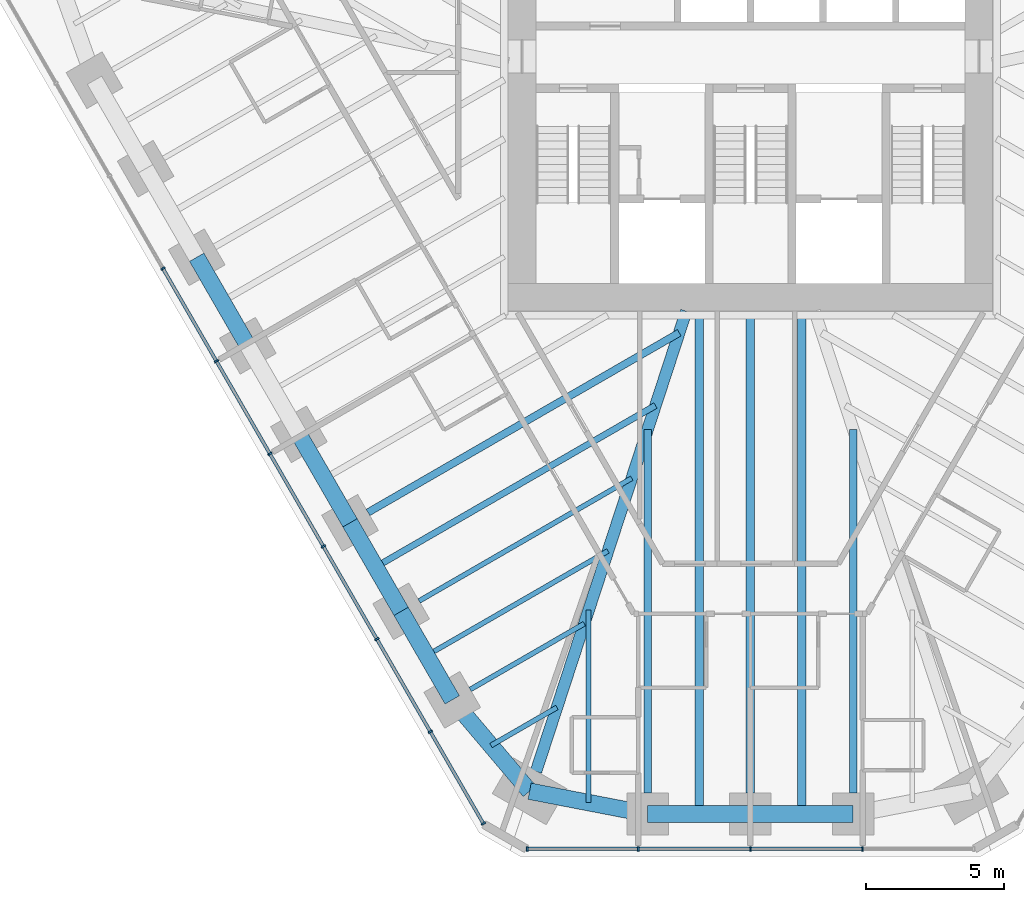
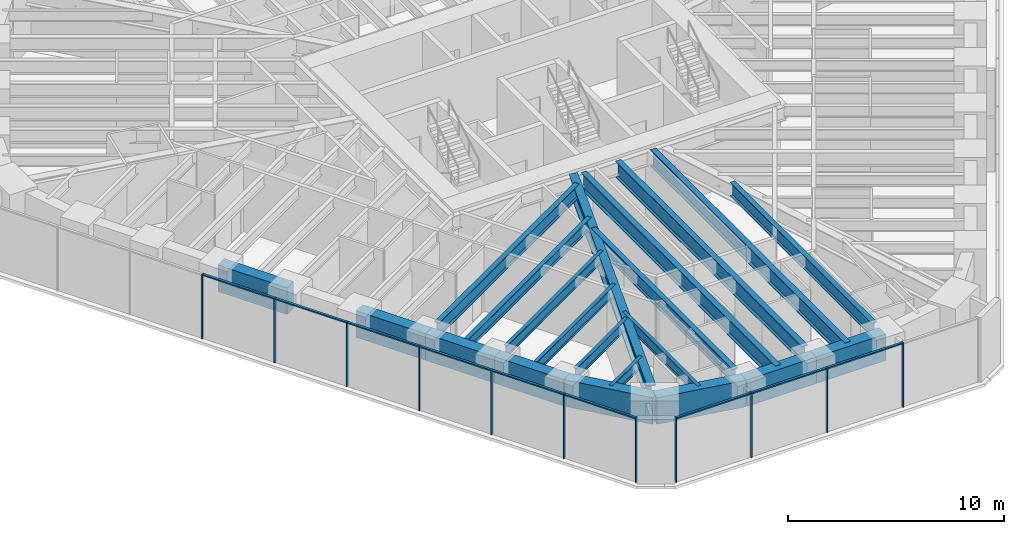
# One storey, part 2 of 16: 21 beams, 20 members, 2 elements without a shape of their own.
"""IFC4 building model written with IfcOpenShell, lengths in metres."""

from ifc_helpers import new_model, si_unit, direction, frame, origin, origin_2d, place, context, subcontext, project, spatial, rectangle, i_section, extrude, material, material_profile, profile_set, type_object, element, aggregate, save


model = new_model("IFC4")

# Units and contexts
model_context = context("Model", 3, precision=1e-05, world=origin(), true_north=direction((0.0, 1.0)))
body_context = subcontext(model_context, "Body", "Model", "MODEL_VIEW")
ifc_project = project(units=[si_unit("LENGTHUNIT", "METRE"), si_unit("AREAUNIT", "SQUARE_METRE"), si_unit("VOLUMEUNIT", "CUBIC_METRE"), si_unit("PLANEANGLEUNIT", "RADIAN"), si_unit("MASSUNIT", "GRAM", prefix="KILO")], contexts=[model_context])

# Site, building, storey
site_placement = place(None, origin())
site = spatial("IfcSite", under=ifc_project, at=site_placement, CompositionType="ELEMENT")
building_placement = place(site_placement, origin())
building = spatial("IfcBuilding", under=site, at=building_placement, Name="Sandreach Pilgrim Tower", CompositionType="ELEMENT")
storey_placement = place(building_placement, frame((0.0, 0.0, 190.800048828125)))
storey = spatial("IfcBuildingStorey", under=building, at=storey_placement, Name="L47", CompositionType="ELEMENT", Elevation=190.800048828125)

# Curtain wall, members
ifc_material_1 = material(Name="Aluminium framed curtain wall", Category="aluminium")
curtain_wall_type = type_object("IfcCurtainWallType", Name="Upper hotel tower curtain wall", PredefinedType="NOTDEFINED", material=ifc_material_1)
curtain_wall_1_placement = place(storey_placement, origin())
curtain_wall_1 = element("IfcCurtainWall", 1, at=curtain_wall_1_placement, inside=storey, type_object=curtain_wall_type, Name="CW-3 L47 S", PredefinedType="NOTDEFINED")
ifc_material_2 = material(Name="Aluminium extrusion", Category="aluminium")
ifc_material_profile_1 = material_profile(ifc_material_2, rectangle(XDim=0.06494140625, YDim=0.159912109375, at=origin_2d()), Name="CW-3M 65X160")
ifc_profile_set_1 = profile_set([ifc_material_profile_1], Name="Aluminium extrusion")
member_type_1 = type_object("IfcMemberType", Name="CW-3 mullion", PredefinedType="MULLION", material=ifc_profile_set_1)
member_1_placement = place(storey_placement, frame((4.048583984375, -26.525146484375, 0.0), z_axis=(0.0, 0.0, 1.0), x_axis=(-1.0, 0.0, 0.0)))
member_1 = element("IfcMember", 2, at=member_1_placement, type_object=member_type_1, Name="CW-3 mullion 2", PredefinedType="MULLION", context=body_context, shape_type="SweptSolid", body=[
    extrude(rectangle(XDim=0.06494140625, YDim=0.159912109375, at=origin_2d()), origin(), (0.0, 0.0, 1.0), 3.639892578125),
])
member_2_placement = place(storey_placement, frame((0.0, -26.525146484375, 0.0), z_axis=(0.0, 0.0, 1.0), x_axis=(-1.0, 0.0, 0.0)))
member_2 = element("IfcMember", 3, at=member_2_placement, type_object=member_type_1, Name="CW-3 mullion 3", PredefinedType="MULLION", context=body_context, shape_type="SweptSolid", body=[
    extrude(rectangle(XDim=0.06494140625, YDim=0.159912109375, at=origin_2d()), origin(), (0.0, 0.0, 1.0), 3.639892578125),
])
member_3_placement = place(storey_placement, frame((-4.048583984375, -26.525146484375, 0.0), z_axis=(0.0, 0.0, 1.0), x_axis=(-1.0, 0.0, 0.0)))
member_3 = element("IfcMember", 4, at=member_3_placement, type_object=member_type_1, Name="CW-3 mullion 4", PredefinedType="MULLION", context=body_context, shape_type="SweptSolid", body=[
    extrude(rectangle(XDim=0.06494140625, YDim=0.159912109375, at=origin_2d()), origin(), (0.0, 0.0, 1.0), 3.639892578125),
])
member_4_placement = place(storey_placement, frame((-8.06494140625, -26.525146484375, 0.0), z_axis=(0.0, 0.0, 1.0), x_axis=(-1.0, 0.0, 0.0)))
member_4 = element("IfcMember", 5, at=member_4_placement, type_object=member_type_1, Name="CW-3 mullion 5", PredefinedType="MULLION", context=body_context, shape_type="SweptSolid", body=[
    extrude(rectangle(XDim=0.06494140625, YDim=0.159912109375, at=origin_2d()), origin(), (0.0, 0.0, 1.0), 3.639892578125),
])

curtain_wall_2_placement = place(storey_placement, origin())
curtain_wall_2 = element("IfcCurtainWall", 6, at=curtain_wall_2_placement, inside=storey, type_object=curtain_wall_type, Name="CW-3 L47 SW", PredefinedType="NOTDEFINED")
member_5_placement = place(storey_placement, frame((-9.646484375, -25.612060546875, 0.0), z_axis=(0.0, 0.0, 1.0), x_axis=(-0.5, 0.866025403784, 0.0)))
member_5 = element("IfcMember", 7, at=member_5_placement, type_object=member_type_1, Name="CW-3 mullion 1", PredefinedType="MULLION", context=body_context, shape_type="SweptSolid", body=[
    extrude(rectangle(XDim=0.06494140625, YDim=0.159912109375, at=origin_2d()), origin(), (0.0, 0.0, 1.0), 3.639892578125),
])
member_6_placement = place(storey_placement, frame((-11.5625, -22.29345703125, 0.0), z_axis=(0.0, 0.0, 1.0), x_axis=(-0.5, 0.866025403784, 0.0)))
member_6 = element("IfcMember", 8, at=member_6_placement, type_object=member_type_1, Name="CW-3 mullion 2", PredefinedType="MULLION", context=body_context, shape_type="SweptSolid", body=[
    extrude(rectangle(XDim=0.06494140625, YDim=0.159912109375, at=origin_2d()), origin(), (0.0, 0.0, 1.0), 3.639892578125),
])
member_7_placement = place(storey_placement, frame((-13.49462890625, -18.94677734375, 0.0), z_axis=(0.0, 0.0, 1.0), x_axis=(-0.5, 0.866025403784, 0.0)))
member_7 = element("IfcMember", 9, at=member_7_placement, type_object=member_type_1, Name="CW-3 mullion 3", PredefinedType="MULLION", context=body_context, shape_type="SweptSolid", body=[
    extrude(rectangle(XDim=0.06494140625, YDim=0.159912109375, at=origin_2d()), origin(), (0.0, 0.0, 1.0), 3.639892578125),
])
member_8_placement = place(storey_placement, frame((-15.4267578125, -15.60009765625, 0.0), z_axis=(0.0, 0.0, 1.0), x_axis=(-0.5, 0.866025403784, 0.0)))
member_8 = element("IfcMember", 10, at=member_8_placement, type_object=member_type_1, Name="CW-3 mullion 4", PredefinedType="MULLION", context=body_context, shape_type="SweptSolid", body=[
    extrude(rectangle(XDim=0.06494140625, YDim=0.159912109375, at=origin_2d()), origin(), (0.0, 0.0, 1.0), 3.639892578125),
])
member_9_placement = place(storey_placement, frame((-17.359130859375, -12.25341796875, 0.0), z_axis=(0.0, 0.0, 1.0), x_axis=(-0.5, 0.866025403784, 0.0)))
member_9 = element("IfcMember", 11, at=member_9_placement, type_object=member_type_1, Name="CW-3 mullion 5", PredefinedType="MULLION", context=body_context, shape_type="SweptSolid", body=[
    extrude(rectangle(XDim=0.06494140625, YDim=0.159912109375, at=origin_2d()), origin(), (0.0, 0.0, 1.0), 3.639892578125),
])
member_10_placement = place(storey_placement, frame((-19.291259765625, -8.90673828125, 0.0), z_axis=(0.0, 0.0, 1.0), x_axis=(-0.5, 0.866025403784, 0.0)))
member_10 = element("IfcMember", 12, at=member_10_placement, type_object=member_type_1, Name="CW-3 mullion 6", PredefinedType="MULLION", context=body_context, shape_type="SweptSolid", body=[
    extrude(rectangle(XDim=0.06494140625, YDim=0.159912109375, at=origin_2d()), origin(), (0.0, 0.0, 1.0), 3.639892578125),
])
member_11_placement = place(storey_placement, frame((-21.223388671875, -5.56005859375, 0.0), z_axis=(0.0, 0.0, 1.0), x_axis=(-0.5, 0.866025403784, 0.0)))
member_11 = element("IfcMember", 13, at=member_11_placement, type_object=member_type_1, Name="CW-3 mullion 7", PredefinedType="MULLION", context=body_context, shape_type="SweptSolid", body=[
    extrude(rectangle(XDim=0.06494140625, YDim=0.159912109375, at=origin_2d()), origin(), (0.0, 0.0, 1.0), 3.639892578125),
])

# Member
ifc_material_3 = material(Name="Aluminium extrusion", Category="aluminium")
ifc_material_profile_2 = material_profile(ifc_material_3, rectangle(XDim=0.1201171875, YDim=0.070068359375, at=origin_2d()), Name="CW-3T 120X70")
ifc_profile_set_2 = profile_set([ifc_material_profile_2], Name="Aluminium extrusion")
member_type_2 = type_object("IfcMemberType", Name="CW-3 transom", PredefinedType="USERDEFINED", material=ifc_profile_set_2)
member_12_placement = place(storey_placement, frame((4.01611328125, -26.525146484375, 3.60498046875), z_axis=(-1.0, 0.0, 0.0), x_axis=(0.0, -1.0, 0.0)))
member_12 = element("IfcMember", 14, at=member_12_placement, type_object=member_type_2, Name="CW-3 head transom 2", ObjectType="TRANSOM", PredefinedType="USERDEFINED", context=body_context, shape_type="SweptSolid", body=[
    extrude(rectangle(XDim=0.1201171875, YDim=0.070068359375, at=origin_2d()), origin(), (0.0, 0.0, 1.0), 3.983642578125),
])

member_13_placement = place(storey_placement, frame((-0.032470703125, -26.525146484375, 3.60498046875), z_axis=(-1.0, 0.0, 0.0), x_axis=(0.0, -1.0, 0.0)))
member_13 = element("IfcMember", 15, at=member_13_placement, type_object=member_type_2, Name="CW-3 head transom 3", ObjectType="TRANSOM", PredefinedType="USERDEFINED", context=body_context, shape_type="SweptSolid", body=[
    extrude(rectangle(XDim=0.1201171875, YDim=0.070068359375, at=origin_2d()), origin(), (0.0, 0.0, 1.0), 3.983642578125),
])

member_14_placement = place(storey_placement, frame((-4.081298828125, -26.525146484375, 3.60498046875), z_axis=(-1.0, 0.0, 0.0), x_axis=(0.0, -1.0, 0.0)))
member_14 = element("IfcMember", 16, at=member_14_placement, type_object=member_type_2, Name="CW-3 head transom 4", ObjectType="TRANSOM", PredefinedType="USERDEFINED", context=body_context, shape_type="SweptSolid", body=[
    extrude(rectangle(XDim=0.1201171875, YDim=0.070068359375, at=origin_2d()), origin(), (0.0, 0.0, 1.0), 3.951171875),
])

aggregate(curtain_wall_1, [member_1, member_2, member_3, member_4, member_12, member_13, member_14])

member_15_placement = place(storey_placement, frame((-9.662841796875, -25.583740234375, 3.60498046875), z_axis=(-0.499973055223, 0.8660409598, 0.0), x_axis=(-0.8660409598, -0.499973055223, 0.0)))
member_15 = element("IfcMember", 17, at=member_15_placement, type_object=member_type_2, Name="CW-3 head transom 1", ObjectType="TRANSOM", PredefinedType="USERDEFINED", context=body_context, shape_type="SweptSolid", body=[
    extrude(rectangle(XDim=0.1201171875, YDim=0.070068359375, at=origin_2d()), origin(), (0.0, 0.0, 1.0), 3.766845703125),
])

member_16_placement = place(storey_placement, frame((-11.57861328125, -22.265380859375, 3.60498046875), z_axis=(-0.500022797313, 0.86601224135, 0.0), x_axis=(-0.86601224135, -0.500022797313, 0.0)))
member_16 = element("IfcMember", 18, at=member_16_placement, type_object=member_type_2, Name="CW-3 head transom 2", ObjectType="TRANSOM", PredefinedType="USERDEFINED", context=body_context, shape_type="SweptSolid", body=[
    extrude(rectangle(XDim=0.1201171875, YDim=0.070068359375, at=origin_2d()), origin(), (0.0, 0.0, 1.0), 3.799560546875),
])

member_17_placement = place(storey_placement, frame((-13.510986328125, -18.918701171875, 3.60498046875), z_axis=(-0.499974606132, 0.866040064445, 0.0), x_axis=(-0.866040064445, -0.499974606132, 0.0)))
member_17 = element("IfcMember", 19, at=member_17_placement, type_object=member_type_2, Name="CW-3 head transom 3", ObjectType="TRANSOM", PredefinedType="USERDEFINED", context=body_context, shape_type="SweptSolid", body=[
    extrude(rectangle(XDim=0.1201171875, YDim=0.070068359375, at=origin_2d()), origin(), (0.0, 0.0, 1.0), 3.799560546875),
])

member_18_placement = place(storey_placement, frame((-15.443115234375, -15.572021484375, 3.60498046875), z_axis=(-0.499974606132, 0.866040064445, 0.0), x_axis=(-0.866040064445, -0.499974606132, 0.0)))
member_18 = element("IfcMember", 20, at=member_18_placement, type_object=member_type_2, Name="CW-3 head transom 4", ObjectType="TRANSOM", PredefinedType="USERDEFINED", context=body_context, shape_type="SweptSolid", body=[
    extrude(rectangle(XDim=0.1201171875, YDim=0.070068359375, at=origin_2d()), origin(), (0.0, 0.0, 1.0), 3.799560546875),
])

member_19_placement = place(storey_placement, frame((-17.375244140625, -12.225341796875, 3.60498046875), z_axis=(-0.500022797313, 0.86601224135, 0.0), x_axis=(-0.86601224135, -0.500022797313, 0.0)))
member_19 = element("IfcMember", 21, at=member_19_placement, type_object=member_type_2, Name="CW-3 head transom 5", ObjectType="TRANSOM", PredefinedType="USERDEFINED", context=body_context, shape_type="SweptSolid", body=[
    extrude(rectangle(XDim=0.1201171875, YDim=0.070068359375, at=origin_2d()), origin(), (0.0, 0.0, 1.0), 3.799560546875),
])

member_20_placement = place(storey_placement, frame((-19.3076171875, -8.878662109375, 3.60498046875), z_axis=(-0.499974606132, 0.866040064445, 0.0), x_axis=(-0.866040064445, -0.499974606132, 0.0)))
member_20 = element("IfcMember", 22, at=member_20_placement, type_object=member_type_2, Name="CW-3 head transom 6", ObjectType="TRANSOM", PredefinedType="USERDEFINED", context=body_context, shape_type="SweptSolid", body=[
    extrude(rectangle(XDim=0.1201171875, YDim=0.070068359375, at=origin_2d()), origin(), (0.0, 0.0, 1.0), 3.799560546875),
])

aggregate(curtain_wall_2, [member_5, member_6, member_7, member_8, member_9, member_10, member_11, member_15, member_16, member_17, member_18, member_19, member_20])

# Beams
ifc_material_4 = material(Name="Steel ASTM A992 Grade 50", Category="steel")
ifc_material_profile_3 = material_profile(ifc_material_4, i_section(OverallWidth=0.421630859375, OverallDepth=0.95751953125, WebThickness=0.02587890625, FlangeThickness=0.046875, at=origin_2d()), Name="W36X330")
ifc_profile_set_3 = profile_set([ifc_material_profile_3], Name="Steel ASTM A992 Grade 50")
beam_type_1 = type_object("IfcBeamType", Name="Corner girder W36X330", PredefinedType="BEAM", material=ifc_profile_set_3)
beam_1_placement = place(storey_placement, frame((-7.745849609375, -23.72900390625, 3.1611328125), z_axis=(0.310317870968, 0.950632851819, 0.0), x_axis=(-0.950632851819, 0.310317870968, 0.0)))
element("IfcBeam", 23, at=beam_1_placement, inside=storey, type_object=beam_type_1, Name="BM L47 CG26", PredefinedType="BEAM", context=body_context, shape_type="SweptSolid", body=[
    extrude(i_section(OverallWidth=0.421630859375, OverallDepth=0.95751953125, WebThickness=0.02587890625, FlangeThickness=0.046875, at=origin_2d()), origin(), (0.0, 0.0, 1.0), 17.492431640625),
])
ifc_material_5 = material(Name="Steel ASTM A992 Grade 50", Category="steel")
ifc_material_profile_4 = material_profile(ifc_material_5, i_section(OverallWidth=0.1787109375, OverallDepth=0.60205078125, WebThickness=0.010986328125, FlangeThickness=0.014892578125, at=origin_2d()), Name="W24X62")
ifc_profile_set_4 = profile_set([ifc_material_profile_4], Name="Steel ASTM A992 Grade 50")
beam_type_2 = type_object("IfcBeamType", Name="Floor beam W24X62", PredefinedType="BEAM", material=ifc_profile_set_4)
beam_2_placement = place(storey_placement, frame((-10.12255859375, -20.767333984375, 3.3388671875), z_axis=(0.86603347311, 0.499986023258, 0.0), x_axis=(-0.499986023258, 0.86603347311, 0.0)))
element("IfcBeam", 24, at=beam_2_placement, inside=storey, type_object=beam_type_2, Name="BM L47 F27", PredefinedType="BEAM", context=body_context, shape_type="SweptSolid", body=[
    extrude(i_section(OverallWidth=0.1787109375, OverallDepth=0.60205078125, WebThickness=0.010986328125, FlangeThickness=0.014892578125, at=origin_2d()), origin(), (0.0, 0.0, 1.0), 4.757568359375),
])
beam_3_placement = place(storey_placement, frame((-11.96875, -17.569580078125, 3.3388671875), z_axis=(0.866020566617, 0.500008378126, 0.0), x_axis=(-0.500008378126, 0.866020566617, 0.0)))
element("IfcBeam", 25, at=beam_3_placement, inside=storey, type_object=beam_type_2, Name="BM L47 F28", PredefinedType="BEAM", context=body_context, shape_type="SweptSolid", body=[
    extrude(i_section(OverallWidth=0.1787109375, OverallDepth=0.60205078125, WebThickness=0.010986328125, FlangeThickness=0.014892578125, at=origin_2d()), origin(), (0.0, 0.0, 1.0), 8.869384765625),
])
beam_4_placement = place(storey_placement, frame((-5.844482421875, -24.853515625, 3.3388671875), z_axis=(0.0, 1.0, 0.0), x_axis=(-1.0, 0.0, 0.0)))
element("IfcBeam", 26, at=beam_4_placement, inside=storey, type_object=beam_type_2, Name="BM L47 FM25", PredefinedType="BEAM", context=body_context, shape_type="SweptSolid", body=[
    extrude(i_section(OverallWidth=0.1787109375, OverallDepth=0.60205078125, WebThickness=0.010986328125, FlangeThickness=0.014892578125, at=origin_2d()), origin(), (0.0, 0.0, 1.0), 6.94921875),
])
beam_5_placement = place(storey_placement, frame((-9.375244140625, -22.7919921875, 3.3388671875), z_axis=(0.866046803606, 0.49996293259, 0.0), x_axis=(-0.49996293259, 0.866046803606, 0.0)))
element("IfcBeam", 27, at=beam_5_placement, inside=storey, type_object=beam_type_2, Name="BM L47 FM26", PredefinedType="BEAM", context=body_context, shape_type="SweptSolid", body=[
    extrude(i_section(OverallWidth=0.1787109375, OverallDepth=0.60205078125, WebThickness=0.010986328125, FlangeThickness=0.014892578125, at=origin_2d()), origin(), (0.0, 0.0, 1.0), 2.753662109375),
])
beam_6_placement = place(storey_placement, frame((-11.6953125, -19.54345703125, 3.3388671875), z_axis=(0.866029704776, 0.49999255039, 0.0), x_axis=(-0.49999255039, 0.866029704776, 0.0)))
element("IfcBeam", 28, at=beam_6_placement, inside=storey, type_object=beam_type_2, Name="BM L47 FM27", PredefinedType="BEAM", context=body_context, shape_type="SweptSolid", body=[
    extrude(i_section(OverallWidth=0.1787109375, OverallDepth=0.60205078125, WebThickness=0.010986328125, FlangeThickness=0.014892578125, at=origin_2d()), origin(), (0.0, 0.0, 1.0), 7.5634765625),
])
ifc_material_6 = material(Name="Steel ASTM A992 Grade 50", Category="steel")
ifc_material_profile_5 = material_profile(ifc_material_6, i_section(OverallWidth=0.23046875, OverallDepth=0.6171875, WebThickness=0.01318359375, FlangeThickness=0.022216796875, at=origin_2d()), Name="W24X94")
ifc_profile_set_5 = profile_set([ifc_material_profile_5], Name="Steel ASTM A992 Grade 50")
beam_type_3 = type_object("IfcBeamType", Name="Floor beam W24X94", PredefinedType="BEAM", material=ifc_profile_set_5)
beam_7_placement = place(storey_placement, frame((-13.54150390625, -16.345703125, 3.331298828125), z_axis=(0.866026454974, 0.499998179282, 0.0), x_axis=(-0.499998179282, 0.866026454974, 0.0)))
element("IfcBeam", 29, at=beam_7_placement, inside=storey, type_object=beam_type_3, Name="BM L47 FM28", PredefinedType="BEAM", context=body_context, shape_type="SweptSolid", body=[
    extrude(i_section(OverallWidth=0.23046875, OverallDepth=0.6171875, WebThickness=0.01318359375, FlangeThickness=0.022216796875, at=origin_2d()), origin(), (0.0, 0.0, 1.0), 11.67578125),
])
ifc_material_7 = material(Name="Steel ASTM A992 Grade 50", Category="steel")
ifc_material_profile_6 = material_profile(ifc_material_7, i_section(OverallWidth=0.2666015625, OverallDepth=0.761962890625, WebThickness=0.014404296875, FlangeThickness=0.021484375, at=origin_2d()), Name="W30X116")
ifc_profile_set_6 = profile_set([ifc_material_profile_6], Name="Steel ASTM A992 Grade 50")
beam_type_4 = type_object("IfcBeamType", Name="Floor beam W30X116", PredefinedType="BEAM", material=ifc_profile_set_6)
for number, where, z_axis, x_axis, name in (
    (30, (3.71044921875, -24.51513671875, 3.259033203125), (0.0, 1.0, 0.0), (-1.0, 0.0, 0.0), "BM L47 F23"),
    (31, (-3.71044921875, -24.51513671875, 3.259033203125), (0.0, 1.0, 0.0), (-1.0, 0.0, 0.0), "BM L47 F25"),
):
    element("IfcBeam", number, at=place(storey_placement, frame(where, z_axis=z_axis, x_axis=x_axis)), inside=storey, type_object=beam_type_4, Name=name, PredefinedType="BEAM", context=body_context, shape_type="SweptSolid", body=[
        extrude(i_section(OverallWidth=0.2666015625, OverallDepth=0.761962890625, WebThickness=0.014404296875, FlangeThickness=0.021484375, at=origin_2d()), origin(), (0.0, 0.0, 1.0), 13.1484375),
    ])
beam_8_placement = place(storey_placement, frame((-13.815185546875, -14.371826171875, 3.259033203125), z_axis=(0.866025240073, 0.500000283557, 0.0), x_axis=(-0.500000283557, 0.866025240073, 0.0)))
element("IfcBeam", 32, at=beam_8_placement, inside=storey, type_object=beam_type_4, Name="BM L47 F29", PredefinedType="BEAM", context=body_context, shape_type="SweptSolid", body=[
    extrude(i_section(OverallWidth=0.2666015625, OverallDepth=0.761962890625, WebThickness=0.014404296875, FlangeThickness=0.021484375, at=origin_2d()), origin(), (0.0, 0.0, 1.0), 12.98193359375),
])
ifc_material_8 = material(Name="Steel ASTM A992 Grade 50", Category="steel")
ifc_material_profile_7 = material_profile(ifc_material_8, i_section(OverallWidth=0.3046875, OverallDepth=0.914306640625, WebThickness=0.0166015625, FlangeThickness=0.02587890625, at=origin_2d()), Name="W36X160")
ifc_profile_set_7 = profile_set([ifc_material_profile_7], Name="Steel ASTM A992 Grade 50")
beam_type_5 = type_object("IfcBeamType", Name="Floor beam W36X160", PredefinedType="BEAM", material=ifc_profile_set_7)
beam_9_placement = place(storey_placement, frame((0.0, -24.51513671875, 3.182861328125), z_axis=(0.0, 1.0, 0.0), x_axis=(-1.0, 0.0, 0.0)))
element("IfcBeam", 33, at=beam_9_placement, inside=storey, type_object=beam_type_5, Name="BM L47 F24", PredefinedType="BEAM", context=body_context, shape_type="SweptSolid", body=[
    extrude(i_section(OverallWidth=0.3046875, OverallDepth=0.914306640625, WebThickness=0.0166015625, FlangeThickness=0.02587890625, at=origin_2d()), origin(), (0.0, 0.0, 1.0), 17.271728515625),
])
for number, where, z_axis, x_axis, name in (
    (34, (1.855224609375, -25.26513671875, 3.182861328125), (0.0, 1.0, 0.0), (-1.0, 0.0, 0.0), "BM L47 FM23"),
    (35, (-1.855224609375, -25.26513671875, 3.182861328125), (0.0, 1.0, 0.0), (-1.0, 0.0, 0.0), "BM L47 FM24"),
):
    element("IfcBeam", number, at=place(storey_placement, frame(where, z_axis=z_axis, x_axis=x_axis)), inside=storey, type_object=beam_type_5, Name=name, PredefinedType="BEAM", context=body_context, shape_type="SweptSolid", body=[
        extrude(i_section(OverallWidth=0.3046875, OverallDepth=0.914306640625, WebThickness=0.0166015625, FlangeThickness=0.02587890625, at=origin_2d()), origin(), (0.0, 0.0, 1.0), 18.021728515625),
    ])
ifc_material_9 = material(Name="Concrete 10000 psi", Category="concrete")
ifc_material_profile_8 = material_profile(ifc_material_9, rectangle(XDim=0.60009765625, YDim=1.5, at=origin_2d()), Name="RC600X1500")
ifc_profile_set_8 = profile_set([ifc_material_profile_8], Name="Concrete 10000 psi")
beam_type_6 = type_object("IfcBeamType", Name="Spandrel beam RC600X1500", PredefinedType="SPANDREL", material=ifc_profile_set_8)
for number, where, z_axis, x_axis, name in (
    (36, (3.71044921875, -25.26513671875, 2.889892578125), (-1.0, 0.0, 0.0), (0.0, -1.0, 0.0), "BM L47 SP23"),
    (37, (0.0, -25.26513671875, 2.889892578125), (-1.0, 0.0, 0.0), (0.0, -1.0, 0.0), "BM L47 SP24"),
):
    element("IfcBeam", number, at=place(storey_placement, frame(where, z_axis=z_axis, x_axis=x_axis)), inside=storey, type_object=beam_type_6, Name=name, PredefinedType="SPANDREL", context=body_context, shape_type="SweptSolid", body=[
        extrude(rectangle(XDim=0.60009765625, YDim=1.5, at=origin_2d()), origin(), (0.0, 0.0, 1.0), 3.71044921875),
    ])
beam_10_placement = place(storey_placement, frame((-3.71044921875, -25.26513671875, 2.889892578125), z_axis=(-0.981901333807, 0.18939316426, 0.0), x_axis=(-0.18939316426, -0.981901333807, 0.0)))
element("IfcBeam", 38, at=beam_10_placement, inside=storey, type_object=beam_type_6, Name="BM L47 SP25", PredefinedType="SPANDREL", context=body_context, shape_type="SweptSolid", body=[
    extrude(rectangle(XDim=0.60009765625, YDim=1.5, at=origin_2d()), origin(), (0.0, 0.0, 1.0), 4.3466796875),
])
beam_11_placement = place(storey_placement, frame((-7.978515625, -24.44189453125, 2.889892578125), z_axis=(-0.646180160755, 0.76318490541, 0.0), x_axis=(-0.76318490541, -0.646180160755, 0.0)))
element("IfcBeam", 39, at=beam_11_placement, inside=storey, type_object=beam_type_6, Name="BM L47 SP26", PredefinedType="SPANDREL", context=body_context, shape_type="SweptSolid", body=[
    extrude(rectangle(XDim=0.60009765625, YDim=1.5, at=origin_2d()), origin(), (0.0, 0.0, 1.0), 4.323486328125),
])
for number, where, z_axis, x_axis, name in (
    (40, (-10.772216796875, -21.142333984375, 2.889892578125), (-0.499993363642, 0.866029235253, 0.0), (-0.866029235253, -0.499993363642, 0.0), "BM L47 SP27"),
    (41, (-12.618408203125, -17.944580078125, 2.889892578125), (-0.499993363642, 0.866029235253, 0.0), (-0.866029235253, -0.499993363642, 0.0), "BM L47 SP28"),
):
    element("IfcBeam", number, at=place(storey_placement, frame(where, z_axis=z_axis, x_axis=x_axis)), inside=storey, type_object=beam_type_6, Name=name, PredefinedType="SPANDREL", context=body_context, shape_type="SweptSolid", body=[
        extrude(rectangle(XDim=0.60009765625, YDim=1.5, at=origin_2d()), origin(), (0.0, 0.0, 1.0), 3.6923828125),
    ])
beam_12_placement = place(storey_placement, frame((-14.464599609375, -14.746826171875, 2.889892578125), z_axis=(-0.49996473481, 0.866045763194, 0.0), x_axis=(-0.866045763194, -0.49996473481, 0.0)))
element("IfcBeam", 42, at=beam_12_placement, inside=storey, type_object=beam_type_6, Name="BM L47 SP29", PredefinedType="SPANDREL", context=body_context, shape_type="SweptSolid", body=[
    extrude(rectangle(XDim=0.60009765625, YDim=1.5, at=origin_2d()), origin(), (0.0, 0.0, 1.0), 3.692626953125),
])
beam_13_placement = place(storey_placement, frame((-18.1572265625, -8.35107421875, 2.889892578125), z_axis=(-0.499993363642, 0.866029235253, 0.0), x_axis=(-0.866029235253, -0.499993363642, 0.0)))
element("IfcBeam", 43, at=beam_13_placement, inside=storey, type_object=beam_type_6, Name="BM L47 SP31", PredefinedType="SPANDREL", context=body_context, shape_type="SweptSolid", body=[
    extrude(rectangle(XDim=0.60009765625, YDim=1.5, at=origin_2d()), origin(), (0.0, 0.0, 1.0), 3.6923828125),
])

save(model, "model.ifc")
